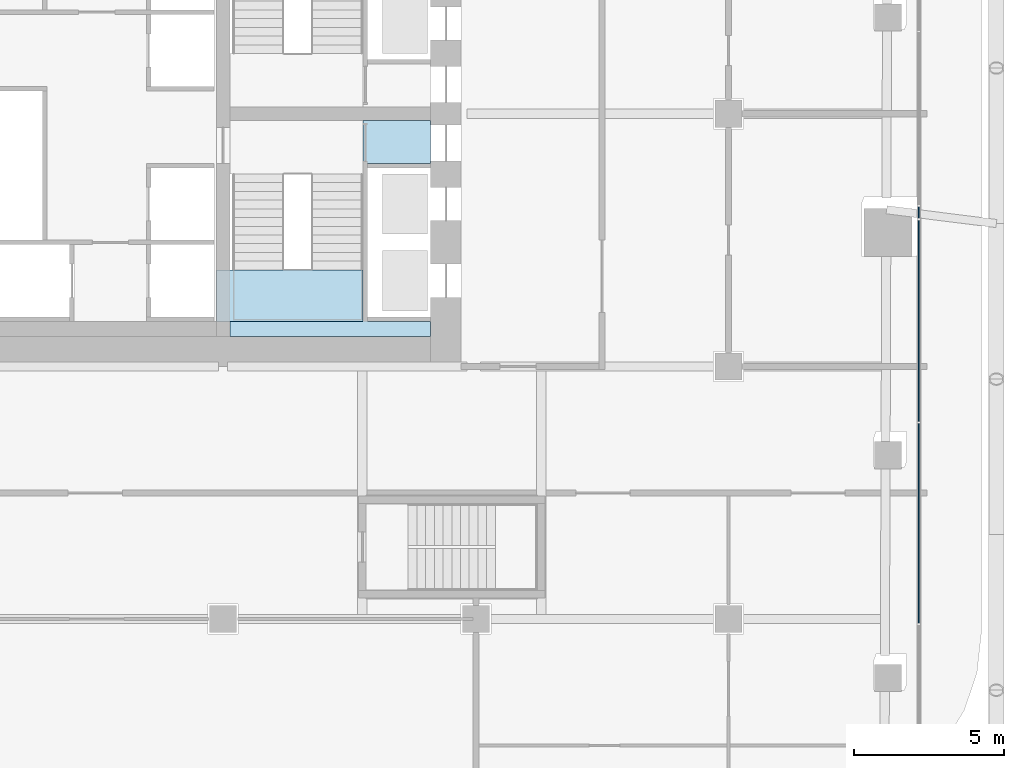
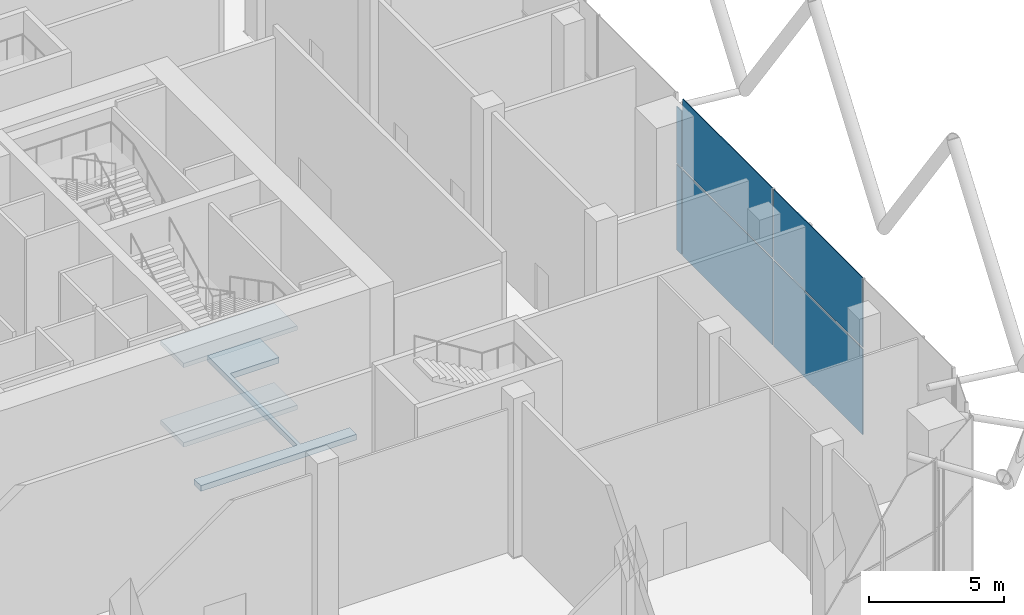
# One storey, part 21 of 34: 6 plates, 3 slabs, 3 elements without a shape of their own.
"""IFC4 building model written with IfcOpenShell, lengths in metres."""

from ifc_helpers import new_model, si_unit, direction, frame, origin, origin_2d, place, context, subcontext, project, spatial, polyline, rectangle, outline, extrude, material, layer, layer_set, type_object, element, aggregate, save


model = new_model("IFC4")

# Units and contexts
model_context = context("Model", 3, precision=1e-05, world=origin(), true_north=direction((0.0, 1.0)))
body_context = subcontext(model_context, "Body", "Model", "MODEL_VIEW")
ifc_project = project(units=[si_unit("LENGTHUNIT", "METRE"), si_unit("AREAUNIT", "SQUARE_METRE"), si_unit("VOLUMEUNIT", "CUBIC_METRE"), si_unit("PLANEANGLEUNIT", "RADIAN"), si_unit("MASSUNIT", "GRAM", prefix="KILO")], contexts=[model_context])

# Site, building, storey
site_placement = place(None, origin())
site = spatial("IfcSite", under=ifc_project, at=site_placement, CompositionType="ELEMENT")
building_placement = place(site_placement, origin())
building = spatial("IfcBuilding", under=site, at=building_placement, Name="Marenta Gate Hotel Tower", CompositionType="ELEMENT")
storey_placement = place(building_placement, frame((0.0, 0.0, 97.699951171875)))
storey = spatial("IfcBuildingStorey", under=building, at=storey_placement, Name="L21", CompositionType="ELEMENT", Elevation=97.699951171875)

# Slab
ifc_material_1 = material(Name="Concrete C40", Category="concrete")
ifc_layer_1 = layer(ifc_material_1, 0.260009765625)
ifc_layer_set_1 = layer_set([ifc_layer_1], Name="Concrete C40")
slab_type_1 = type_object("IfcSlabType", Name="Core floor slab 260", PredefinedType="FLOOR", material=ifc_layer_set_1)
slab_1_placement = place(storey_placement, frame((0.0, 0.0, -0.260009765625)))
element("IfcSlab", 1, at=slab_1_placement, inside=storey, type_object=slab_type_1, Name="L21-CF-2", PredefinedType="FLOOR", context=body_context, shape_type="SweptSolid", body=[
    extrude(outline(polyline([(8.85009765625, 1.5), (8.85009765625, 6.39990234375), (8.85009765625, 8.10009765625), (8.85009765625, 8.175048828125), (11.10009765625, 8.175048828125), (11.10009765625, 6.75), (9.0, 6.75), (9.0, 6.60009765625), (9.0, 4.199951171875), (9.0, 4.050048828125), (9.0, 1.64990234375), (9.0, 1.5), (11.10009765625, 1.5), (11.10009765625, 1.0), (4.425048828125, 1.0), (4.425048828125, 1.5), (8.85009765625, 1.5)])), origin(), (0.0, 0.0, 1.0), 0.260009765625),
])

# Stair, slabs
ifc_material_2 = material(Name="Concrete C40", Category="concrete")
stair_type = type_object("IfcStairType", Name="Core exit stair 1700 wide", PredefinedType="HALF_TURN_STAIR", material=ifc_material_2)
stair_placement = place(storey_placement, origin())
stair = element("IfcStair", 2, at=stair_placement, inside=storey, type_object=stair_type, Name="Exit stair 3", PredefinedType="HALF_TURN_STAIR")
ifc_material_3 = material(Name="Concrete C40", Category="concrete")
ifc_layer_2 = layer(ifc_material_3, 0.199951171875)
ifc_layer_set_2 = layer_set([ifc_layer_2], Name="Concrete C40")
slab_type_2 = type_object("IfcSlabType", Name="Core stair landing 200", PredefinedType="LANDING", material=ifc_layer_set_2)
slab_2_placement = place(storey_placement, frame((0.0, 0.0, 1.60009765625)))
slab_2 = element("IfcSlab", 3, at=slab_2_placement, type_object=slab_type_2, Name="SL-200 ST3 landing 1", PredefinedType="LANDING", context=body_context, shape_type="SweptSolid", body=[
    extrude(outline(polyline([(3.97509765625, 1.5), (8.85009765625, 1.5), (8.85009765625, 3.2099609375), (3.97509765625, 3.2099609375), (3.97509765625, 1.5)])), origin(), (0.0, 0.0, 1.0), 0.199951171875),
])
slab_3_placement = place(storey_placement, frame((0.0, 0.0, 5.199951171875)))
slab_3 = element("IfcSlab", 4, at=slab_3_placement, type_object=slab_type_2, Name="SL-200 ST3 landing 3", PredefinedType="LANDING", context=body_context, shape_type="SweptSolid", body=[
    extrude(outline(polyline([(3.97509765625, 1.5), (8.85009765625, 1.5), (8.85009765625, 3.2099609375), (3.97509765625, 3.2099609375), (3.97509765625, 1.5)])), origin(), (0.0, 0.0, 1.0), 0.2001953125),
])
aggregate(stair, [slab_2, slab_3])

# Curtain wall, plates
ifc_material_4 = material(Name="Tinted insulated glass in bronze anodised frame", Category="glass")
ifc_layer_3 = layer(ifc_material_4, 0.1298828125)
ifc_layer_set_3 = layer_set([ifc_layer_3], Name="Tinted insulated glass in bronze anodised frame")
curtain_wall_type = type_object("IfcCurtainWallType", Name="Sky lobby glazing CW2", PredefinedType="NOTDEFINED", material=ifc_layer_set_3)
curtain_wall_1_placement = place(storey_placement, origin())
curtain_wall_1 = element("IfcCurtainWall", 5, at=curtain_wall_1_placement, inside=storey, type_object=curtain_wall_type, Name="CW2 run G33", PredefinedType="NOTDEFINED")
ifc_material_5 = material(Name="Tinted insulated glass", Category="glass")
ifc_layer_4 = layer(ifc_material_5, 0.033935546875)
ifc_layer_set_4 = layer_set([ifc_layer_4], Name="Tinted insulated glass")
plate_type = type_object("IfcPlateType", Name="Glass panel CW2 34 mm tinted insulated unit", PredefinedType="CURTAIN_PANEL", material=ifc_layer_set_4)
plate_1_placement = place(storey_placement, frame((27.319091796875, -5.214599609375, 0.080078125), z_axis=(0.0, 0.0, 1.0), x_axis=(0.0, 1.0, 0.0)))
plate_1 = element("IfcPlate", 6, at=plate_1_placement, type_object=plate_type, Name="CW2 panel 2.1", PredefinedType="CURTAIN_PANEL", context=body_context, shape_type="SweptSolid", body=[
    extrude(rectangle(XDim=6.62744140625, YDim=0.033935546875, at=origin_2d()), origin(), (0.0, 0.0, 1.0), 3.8798828125),
])
plate_2_placement = place(storey_placement, frame((27.319091796875, -5.214599609375, 4.0400390625), z_axis=(0.0, 0.0, 1.0), x_axis=(0.0, 1.0, 0.0)))
plate_2 = element("IfcPlate", 7, at=plate_2_placement, type_object=plate_type, Name="CW2 panel 2.2", PredefinedType="CURTAIN_PANEL", context=body_context, shape_type="SweptSolid", body=[
    extrude(rectangle(XDim=6.62744140625, YDim=0.033935546875, at=origin_2d()), origin(), (0.0, 0.0, 1.0), 3.159912109375),
])
plate_3_placement = place(storey_placement, frame((27.319091796875, 1.5126953125, 0.080078125), z_axis=(0.0, 0.0, 1.0), x_axis=(0.0, 1.0, 0.0)))
plate_3 = element("IfcPlate", 8, at=plate_3_placement, type_object=plate_type, Name="CW2 panel 3.1", PredefinedType="CURTAIN_PANEL", context=body_context, shape_type="SweptSolid", body=[
    extrude(rectangle(XDim=6.66748046875, YDim=0.033935546875, at=origin_2d()), origin(), (0.0, 0.0, 1.0), 3.8798828125),
])
plate_4_placement = place(storey_placement, frame((27.319091796875, 1.5126953125, 4.0400390625), z_axis=(0.0, 0.0, 1.0), x_axis=(0.0, 1.0, 0.0)))
plate_4 = element("IfcPlate", 9, at=plate_4_placement, type_object=plate_type, Name="CW2 panel 3.2", PredefinedType="CURTAIN_PANEL", context=body_context, shape_type="SweptSolid", body=[
    extrude(rectangle(XDim=6.66748046875, YDim=0.033935546875, at=origin_2d()), origin(), (0.0, 0.0, 1.0), 3.159912109375),
])
aggregate(curtain_wall_1, [plate_1, plate_2, plate_3, plate_4])

curtain_wall_2_placement = place(storey_placement, origin())
curtain_wall_2 = element("IfcCurtainWall", 10, at=curtain_wall_2_placement, inside=storey, type_object=curtain_wall_type, Name="CW2 run G34", PredefinedType="NOTDEFINED")
plate_5_placement = place(storey_placement, frame((27.319091796875, 5.11474609375, 0.080078125), z_axis=(0.0, 0.0, 1.0), x_axis=(0.0, 1.0, 0.0)))
plate_5 = element("IfcPlate", 11, at=plate_5_placement, type_object=plate_type, Name="CW2 panel 1.1", PredefinedType="CURTAIN_PANEL", context=body_context, shape_type="SweptSolid", body=[
    extrude(rectangle(XDim=0.376708984375, YDim=0.033935546875, at=origin_2d()), origin(), (0.0, 0.0, 1.0), 3.8798828125),
])
plate_6_placement = place(storey_placement, frame((27.319091796875, 5.11474609375, 4.0400390625), z_axis=(0.0, 0.0, 1.0), x_axis=(0.0, 1.0, 0.0)))
plate_6 = element("IfcPlate", 12, at=plate_6_placement, type_object=plate_type, Name="CW2 panel 1.2", PredefinedType="CURTAIN_PANEL", context=body_context, shape_type="SweptSolid", body=[
    extrude(rectangle(XDim=0.376708984375, YDim=0.033935546875, at=origin_2d()), origin(), (0.0, 0.0, 1.0), 2.560546875),
])
aggregate(curtain_wall_2, [plate_5, plate_6])

save(model, "model.ifc")
